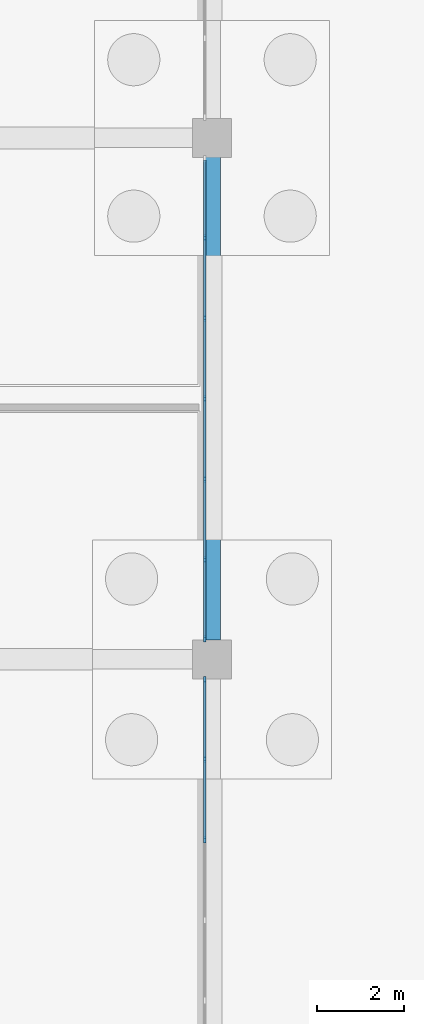
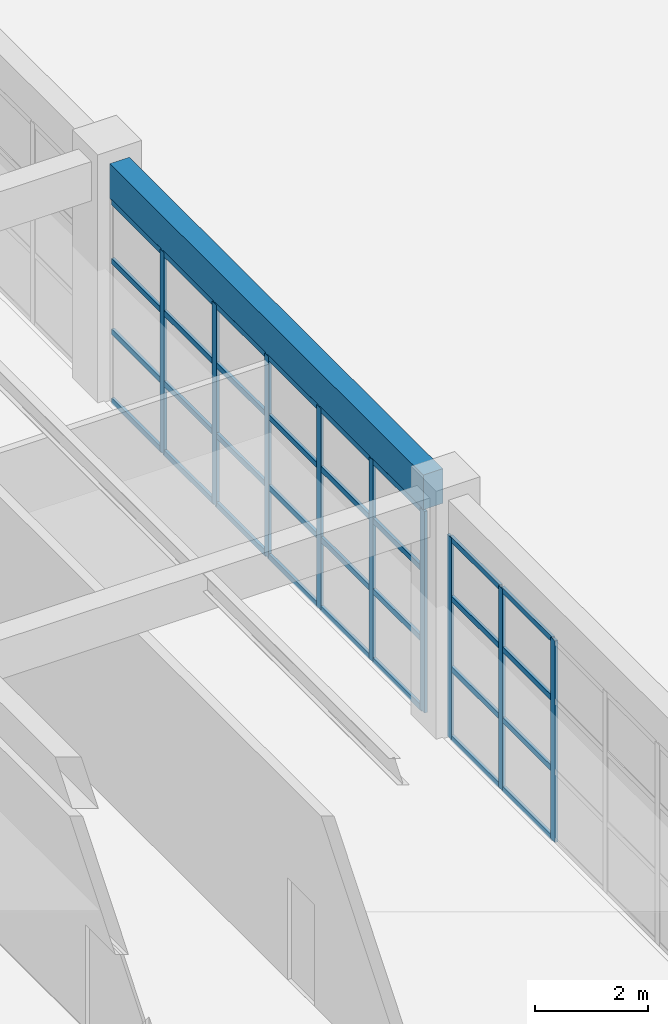
# One storey, part 56 of 99: 41 members, 1 beam, 2 elements without a shape of their own.
"""IFC4 building model written with IfcOpenShell, lengths in metres."""

from ifc_helpers import new_model, si_unit, direction, frame, origin, origin_2d, place, context, subcontext, project, spatial, rectangle, extrude, material, layer, layer_set, material_profile, profile_set, type_object, element, aggregate, save


model = new_model("IFC4")

# Units and contexts
model_context = context("Model", 3, precision=1e-05, world=origin(), true_north=direction((0.0, 1.0)))
body_context = subcontext(model_context, "Body", "Model", "MODEL_VIEW")
ifc_project = project(units=[si_unit("LENGTHUNIT", "METRE"), si_unit("AREAUNIT", "SQUARE_METRE"), si_unit("VOLUMEUNIT", "CUBIC_METRE"), si_unit("PLANEANGLEUNIT", "RADIAN"), si_unit("MASSUNIT", "GRAM", prefix="KILO")], contexts=[model_context])

# Site, building, storey
site_placement = place(None, origin())
site = spatial("IfcSite", under=ifc_project, at=site_placement, CompositionType="ELEMENT")
building_placement = place(site_placement, origin())
building = spatial("IfcBuilding", under=site, at=building_placement, Name="Kivolera Central Railway Station", CompositionType="ELEMENT")
storey_placement = place(building_placement, origin())
storey = spatial("IfcBuildingStorey", under=building, at=storey_placement, Name="L00", CompositionType="ELEMENT", Elevation=0.0)

# Beam
ifc_material_1 = material(Name="Concrete C40/50", Category="concrete")
ifc_material_profile_1 = material_profile(ifc_material_1, rectangle(XDim=0.39990234375, YDim=0.75, at=origin_2d()), Name="RC 400x750")
ifc_profile_set_1 = profile_set([ifc_material_profile_1], Name="Concrete C40/50")
beam_type = type_object("IfcBeamType", Name="BM-RC-400x750", PredefinedType="BEAM", material=ifc_profile_set_1)
beam_placement = place(storey_placement, frame((138.0, 90.44189453125, 4.7451171875), z_axis=(0.0, 1.0, 0.0), x_axis=(-1.0, 0.0, 0.0)))
element("IfcBeam", 1, at=beam_placement, inside=storey, type_object=beam_type, Name="L00 Wing Y-Beam 14:H-J", PredefinedType="BEAM", context=body_context, shape_type="SweptSolid", body=[
    extrude(rectangle(XDim=0.39990234375, YDim=0.75, at=origin_2d()), origin(), (0.0, 0.0, 1.0), 11.1162109375),
])

# Curtain wall, members
ifc_material_2 = material(Name="Anodised aluminium", Category="aluminium")
ifc_layer = layer(ifc_material_2, 0.179931640625, Name="Anodised aluminium")
ifc_layer_set = layer_set([ifc_layer], Name="Anodised aluminium")
curtain_wall_type = type_object("IfcCurtainWallType", Name="CW-SYS-22", PredefinedType="NOTDEFINED", material=ifc_layer_set)
curtain_wall_1_placement = place(storey_placement, origin())
curtain_wall_1 = element("IfcCurtainWall", 2, at=curtain_wall_1_placement, inside=storey, type_object=curtain_wall_type, Name="L00 Curtain Wall CW-L00-CRTW-G", PredefinedType="NOTDEFINED")
ifc_material_profile_2 = material_profile(ifc_material_2, rectangle(XDim=0.06005859375, YDim=0.14990234375, at=origin_2d()), Name="ALU MULL 60x150")
ifc_profile_set_2 = profile_set([ifc_material_profile_2], Name="Anodised aluminium")
member_type_1 = type_object("IfcMemberType", Name="CWM-MUL-2", PredefinedType="MULLION", material=ifc_profile_set_2)
member_1_placement = place(storey_placement, frame((137.830078125, 89.52490234375, -0.0048828125), z_axis=(0.0, 0.0, 1.0), x_axis=(1.0, 0.0, 0.0)))
member_1 = element("IfcMember", 3, at=member_1_placement, type_object=member_type_1, Name="CW-22 mullion 1", PredefinedType="MULLION", context=body_context, shape_type="SweptSolid", body=[
    extrude(rectangle(XDim=0.06005859375, YDim=0.14990234375, at=origin_2d()), origin(), (0.0, 0.0, 1.0), 4.36279296875),
])
member_2_placement = place(storey_placement, frame((137.830078125, 87.703369140625, -0.0048828125), z_axis=(0.0, 0.0, 1.0), x_axis=(1.0, 0.0, 0.0)))
member_2 = element("IfcMember", 4, at=member_2_placement, type_object=member_type_1, Name="CW-22 mullion 2", PredefinedType="MULLION", context=body_context, shape_type="SweptSolid", body=[
    extrude(rectangle(XDim=0.06005859375, YDim=0.14990234375, at=origin_2d()), origin(), (0.0, 0.0, 1.0), 4.36279296875),
])
member_3_placement = place(storey_placement, frame((137.830078125, 85.8515625, -0.0048828125), z_axis=(0.0, 0.0, 1.0), x_axis=(1.0, 0.0, 0.0)))
member_3 = element("IfcMember", 5, at=member_3_placement, type_object=member_type_1, Name="CW-22 mullion 3", PredefinedType="MULLION", context=body_context, shape_type="SweptSolid", body=[
    extrude(rectangle(XDim=0.06005859375, YDim=0.14990234375, at=origin_2d()), origin(), (0.0, 0.0, 1.0), 4.36279296875),
])

curtain_wall_2_placement = place(storey_placement, origin())
curtain_wall_2 = element("IfcCurtainWall", 6, at=curtain_wall_2_placement, inside=storey, type_object=curtain_wall_type, Name="L00 Curtain Wall CW-L00-CRTW-H", PredefinedType="NOTDEFINED")
member_4_placement = place(storey_placement, frame((137.830078125, 99.703369140625, -0.0048828125), z_axis=(0.0, 0.0, 1.0), x_axis=(1.0, 0.0, 0.0)))
member_4 = element("IfcMember", 7, at=member_4_placement, type_object=member_type_1, Name="CW-22 mullion 2", PredefinedType="MULLION", context=body_context, shape_type="SweptSolid", body=[
    extrude(rectangle(XDim=0.06005859375, YDim=0.14990234375, at=origin_2d()), origin(), (0.0, 0.0, 1.0), 4.36279296875),
])
member_5_placement = place(storey_placement, frame((137.830078125, 97.8515625, -0.0048828125), z_axis=(0.0, 0.0, 1.0), x_axis=(1.0, 0.0, 0.0)))
member_5 = element("IfcMember", 8, at=member_5_placement, type_object=member_type_1, Name="CW-22 mullion 3", PredefinedType="MULLION", context=body_context, shape_type="SweptSolid", body=[
    extrude(rectangle(XDim=0.06005859375, YDim=0.14990234375, at=origin_2d()), origin(), (0.0, 0.0, 1.0), 4.36279296875),
])
member_6_placement = place(storey_placement, frame((137.830078125, 96.0, -0.0048828125), z_axis=(0.0, 0.0, 1.0), x_axis=(1.0, 0.0, 0.0)))
member_6 = element("IfcMember", 9, at=member_6_placement, type_object=member_type_1, Name="CW-22 mullion 4", PredefinedType="MULLION", context=body_context, shape_type="SweptSolid", body=[
    extrude(rectangle(XDim=0.06005859375, YDim=0.14990234375, at=origin_2d()), origin(), (0.0, 0.0, 1.0), 4.36279296875),
])
member_7_placement = place(storey_placement, frame((137.830078125, 94.1484375, -0.0048828125), z_axis=(0.0, 0.0, 1.0), x_axis=(1.0, 0.0, 0.0)))
member_7 = element("IfcMember", 10, at=member_7_placement, type_object=member_type_1, Name="CW-22 mullion 5", PredefinedType="MULLION", context=body_context, shape_type="SweptSolid", body=[
    extrude(rectangle(XDim=0.06005859375, YDim=0.14990234375, at=origin_2d()), origin(), (0.0, 0.0, 1.0), 4.36279296875),
])
member_8_placement = place(storey_placement, frame((137.830078125, 92.296630859375, -0.0048828125), z_axis=(0.0, 0.0, 1.0), x_axis=(1.0, 0.0, 0.0)))
member_8 = element("IfcMember", 11, at=member_8_placement, type_object=member_type_1, Name="CW-22 mullion 6", PredefinedType="MULLION", context=body_context, shape_type="SweptSolid", body=[
    extrude(rectangle(XDim=0.06005859375, YDim=0.14990234375, at=origin_2d()), origin(), (0.0, 0.0, 1.0), 4.36279296875),
])
member_9_placement = place(storey_placement, frame((137.830078125, 90.47509765625, -0.0048828125), z_axis=(0.0, 0.0, 1.0), x_axis=(1.0, 0.0, 0.0)))
member_9 = element("IfcMember", 12, at=member_9_placement, type_object=member_type_1, Name="CW-22 mullion 7", PredefinedType="MULLION", context=body_context, shape_type="SweptSolid", body=[
    extrude(rectangle(XDim=0.06005859375, YDim=0.14990234375, at=origin_2d()), origin(), (0.0, 0.0, 1.0), 4.36279296875),
])

# Member
ifc_material_profile_3 = material_profile(ifc_material_2, rectangle(XDim=0.06005859375, YDim=0.1201171875, at=origin_2d()), Name="ALU TRAN 60x120")
ifc_profile_set_3 = profile_set([ifc_material_profile_3], Name="Anodised aluminium")
member_type_2 = type_object("IfcMemberType", Name="CWM-TRN-2", PredefinedType="USERDEFINED", material=ifc_profile_set_3)
member_10_placement = place(storey_placement, frame((137.830078125, 89.4951171875, 0.030029296875), z_axis=(0.0, -1.0, 0.0), x_axis=(1.0, 0.0, 0.0)))
member_10 = element("IfcMember", 13, at=member_10_placement, type_object=member_type_2, Name="CW-22 transom 1.1", ObjectType="TRANSOM", PredefinedType="USERDEFINED", context=body_context, shape_type="SweptSolid", body=[
    extrude(rectangle(XDim=0.06005859375, YDim=0.1201171875, at=origin_2d()), origin(), (0.0, 0.0, 1.0), 1.76171875),
])

member_11_placement = place(storey_placement, frame((137.830078125, 89.4951171875, 1.525390625), z_axis=(0.0, -1.0, 0.0), x_axis=(1.0, 0.0, 0.0)))
member_11 = element("IfcMember", 14, at=member_11_placement, type_object=member_type_2, Name="CW-22 transom 1.2", ObjectType="TRANSOM", PredefinedType="USERDEFINED", context=body_context, shape_type="SweptSolid", body=[
    extrude(rectangle(XDim=0.06005859375, YDim=0.1201171875, at=origin_2d()), origin(), (0.0, 0.0, 1.0), 1.76171875),
])

member_12_placement = place(storey_placement, frame((137.830078125, 89.4951171875, 3.050537109375), z_axis=(0.0, -1.0, 0.0), x_axis=(1.0, 0.0, 0.0)))
member_12 = element("IfcMember", 15, at=member_12_placement, type_object=member_type_2, Name="CW-22 transom 1.3", ObjectType="TRANSOM", PredefinedType="USERDEFINED", context=body_context, shape_type="SweptSolid", body=[
    extrude(rectangle(XDim=0.06005859375, YDim=0.1201171875, at=origin_2d()), origin(), (0.0, 0.0, 1.0), 1.76171875),
])

member_13_placement = place(storey_placement, frame((137.830078125, 89.4951171875, 4.327880859375), z_axis=(0.0, -1.0, 0.0), x_axis=(1.0, 0.0, 0.0)))
member_13 = element("IfcMember", 16, at=member_13_placement, type_object=member_type_2, Name="CW-22 transom 1.4", ObjectType="TRANSOM", PredefinedType="USERDEFINED", context=body_context, shape_type="SweptSolid", body=[
    extrude(rectangle(XDim=0.06005859375, YDim=0.1201171875, at=origin_2d()), origin(), (0.0, 0.0, 1.0), 1.76171875),
])

member_14_placement = place(storey_placement, frame((137.830078125, 87.67333984375, 0.030029296875), z_axis=(0.0, -1.0, 0.0), x_axis=(1.0, 0.0, 0.0)))
member_14 = element("IfcMember", 17, at=member_14_placement, type_object=member_type_2, Name="CW-22 transom 2.1", ObjectType="TRANSOM", PredefinedType="USERDEFINED", context=body_context, shape_type="SweptSolid", body=[
    extrude(rectangle(XDim=0.06005859375, YDim=0.1201171875, at=origin_2d()), origin(), (0.0, 0.0, 1.0), 1.791748046875),
])

member_15_placement = place(storey_placement, frame((137.830078125, 87.67333984375, 1.525390625), z_axis=(0.0, -1.0, 0.0), x_axis=(1.0, 0.0, 0.0)))
member_15 = element("IfcMember", 18, at=member_15_placement, type_object=member_type_2, Name="CW-22 transom 2.2", ObjectType="TRANSOM", PredefinedType="USERDEFINED", context=body_context, shape_type="SweptSolid", body=[
    extrude(rectangle(XDim=0.06005859375, YDim=0.1201171875, at=origin_2d()), origin(), (0.0, 0.0, 1.0), 1.791748046875),
])

member_16_placement = place(storey_placement, frame((137.830078125, 87.67333984375, 3.050537109375), z_axis=(0.0, -1.0, 0.0), x_axis=(1.0, 0.0, 0.0)))
member_16 = element("IfcMember", 19, at=member_16_placement, type_object=member_type_2, Name="CW-22 transom 2.3", ObjectType="TRANSOM", PredefinedType="USERDEFINED", context=body_context, shape_type="SweptSolid", body=[
    extrude(rectangle(XDim=0.06005859375, YDim=0.1201171875, at=origin_2d()), origin(), (0.0, 0.0, 1.0), 1.791748046875),
])

member_17_placement = place(storey_placement, frame((137.830078125, 87.67333984375, 4.327880859375), z_axis=(0.0, -1.0, 0.0), x_axis=(1.0, 0.0, 0.0)))
member_17 = element("IfcMember", 20, at=member_17_placement, type_object=member_type_2, Name="CW-22 transom 2.4", ObjectType="TRANSOM", PredefinedType="USERDEFINED", context=body_context, shape_type="SweptSolid", body=[
    extrude(rectangle(XDim=0.06005859375, YDim=0.1201171875, at=origin_2d()), origin(), (0.0, 0.0, 1.0), 1.791748046875),
])

aggregate(curtain_wall_1, [member_1, member_2, member_3, member_10, member_11, member_12, member_13, member_14, member_15, member_16, member_17])

member_18_placement = place(storey_placement, frame((137.830078125, 101.4951171875, 0.030029296875), z_axis=(0.0, -1.0, 0.0), x_axis=(1.0, 0.0, 0.0)))
member_18 = element("IfcMember", 21, at=member_18_placement, type_object=member_type_2, Name="CW-22 transom 1.1", ObjectType="TRANSOM", PredefinedType="USERDEFINED", context=body_context, shape_type="SweptSolid", body=[
    extrude(rectangle(XDim=0.06005859375, YDim=0.1201171875, at=origin_2d()), origin(), (0.0, 0.0, 1.0), 1.76171875),
])

member_19_placement = place(storey_placement, frame((137.830078125, 101.4951171875, 1.525390625), z_axis=(0.0, -1.0, 0.0), x_axis=(1.0, 0.0, 0.0)))
member_19 = element("IfcMember", 22, at=member_19_placement, type_object=member_type_2, Name="CW-22 transom 1.2", ObjectType="TRANSOM", PredefinedType="USERDEFINED", context=body_context, shape_type="SweptSolid", body=[
    extrude(rectangle(XDim=0.06005859375, YDim=0.1201171875, at=origin_2d()), origin(), (0.0, 0.0, 1.0), 1.76171875),
])

member_20_placement = place(storey_placement, frame((137.830078125, 101.4951171875, 3.050537109375), z_axis=(0.0, -1.0, 0.0), x_axis=(1.0, 0.0, 0.0)))
member_20 = element("IfcMember", 23, at=member_20_placement, type_object=member_type_2, Name="CW-22 transom 1.3", ObjectType="TRANSOM", PredefinedType="USERDEFINED", context=body_context, shape_type="SweptSolid", body=[
    extrude(rectangle(XDim=0.06005859375, YDim=0.1201171875, at=origin_2d()), origin(), (0.0, 0.0, 1.0), 1.76171875),
])

member_21_placement = place(storey_placement, frame((137.830078125, 101.4951171875, 4.327880859375), z_axis=(0.0, -1.0, 0.0), x_axis=(1.0, 0.0, 0.0)))
member_21 = element("IfcMember", 24, at=member_21_placement, type_object=member_type_2, Name="CW-22 transom 1.4", ObjectType="TRANSOM", PredefinedType="USERDEFINED", context=body_context, shape_type="SweptSolid", body=[
    extrude(rectangle(XDim=0.06005859375, YDim=0.1201171875, at=origin_2d()), origin(), (0.0, 0.0, 1.0), 1.76171875),
])

member_22_placement = place(storey_placement, frame((137.830078125, 99.67333984375, 0.030029296875), z_axis=(0.0, -1.0, 0.0), x_axis=(1.0, 0.0, 0.0)))
member_22 = element("IfcMember", 25, at=member_22_placement, type_object=member_type_2, Name="CW-22 transom 2.1", ObjectType="TRANSOM", PredefinedType="USERDEFINED", context=body_context, shape_type="SweptSolid", body=[
    extrude(rectangle(XDim=0.06005859375, YDim=0.1201171875, at=origin_2d()), origin(), (0.0, 0.0, 1.0), 1.791748046875),
])

member_23_placement = place(storey_placement, frame((137.830078125, 99.67333984375, 1.525390625), z_axis=(0.0, -1.0, 0.0), x_axis=(1.0, 0.0, 0.0)))
member_23 = element("IfcMember", 26, at=member_23_placement, type_object=member_type_2, Name="CW-22 transom 2.2", ObjectType="TRANSOM", PredefinedType="USERDEFINED", context=body_context, shape_type="SweptSolid", body=[
    extrude(rectangle(XDim=0.06005859375, YDim=0.1201171875, at=origin_2d()), origin(), (0.0, 0.0, 1.0), 1.791748046875),
])

member_24_placement = place(storey_placement, frame((137.830078125, 99.67333984375, 3.050537109375), z_axis=(0.0, -1.0, 0.0), x_axis=(1.0, 0.0, 0.0)))
member_24 = element("IfcMember", 27, at=member_24_placement, type_object=member_type_2, Name="CW-22 transom 2.3", ObjectType="TRANSOM", PredefinedType="USERDEFINED", context=body_context, shape_type="SweptSolid", body=[
    extrude(rectangle(XDim=0.06005859375, YDim=0.1201171875, at=origin_2d()), origin(), (0.0, 0.0, 1.0), 1.791748046875),
])

member_25_placement = place(storey_placement, frame((137.830078125, 99.67333984375, 4.327880859375), z_axis=(0.0, -1.0, 0.0), x_axis=(1.0, 0.0, 0.0)))
member_25 = element("IfcMember", 28, at=member_25_placement, type_object=member_type_2, Name="CW-22 transom 2.4", ObjectType="TRANSOM", PredefinedType="USERDEFINED", context=body_context, shape_type="SweptSolid", body=[
    extrude(rectangle(XDim=0.06005859375, YDim=0.1201171875, at=origin_2d()), origin(), (0.0, 0.0, 1.0), 1.791748046875),
])

member_26_placement = place(storey_placement, frame((137.830078125, 97.82177734375, 0.030029296875), z_axis=(0.0, -1.0, 0.0), x_axis=(1.0, 0.0, 0.0)))
member_26 = element("IfcMember", 29, at=member_26_placement, type_object=member_type_2, Name="CW-22 transom 3.1", ObjectType="TRANSOM", PredefinedType="USERDEFINED", context=body_context, shape_type="SweptSolid", body=[
    extrude(rectangle(XDim=0.06005859375, YDim=0.1201171875, at=origin_2d()), origin(), (0.0, 0.0, 1.0), 1.791748046875),
])

member_27_placement = place(storey_placement, frame((137.830078125, 97.82177734375, 1.525390625), z_axis=(0.0, -1.0, 0.0), x_axis=(1.0, 0.0, 0.0)))
member_27 = element("IfcMember", 30, at=member_27_placement, type_object=member_type_2, Name="CW-22 transom 3.2", ObjectType="TRANSOM", PredefinedType="USERDEFINED", context=body_context, shape_type="SweptSolid", body=[
    extrude(rectangle(XDim=0.06005859375, YDim=0.1201171875, at=origin_2d()), origin(), (0.0, 0.0, 1.0), 1.791748046875),
])

member_28_placement = place(storey_placement, frame((137.830078125, 97.82177734375, 3.050537109375), z_axis=(0.0, -1.0, 0.0), x_axis=(1.0, 0.0, 0.0)))
member_28 = element("IfcMember", 31, at=member_28_placement, type_object=member_type_2, Name="CW-22 transom 3.3", ObjectType="TRANSOM", PredefinedType="USERDEFINED", context=body_context, shape_type="SweptSolid", body=[
    extrude(rectangle(XDim=0.06005859375, YDim=0.1201171875, at=origin_2d()), origin(), (0.0, 0.0, 1.0), 1.791748046875),
])

member_29_placement = place(storey_placement, frame((137.830078125, 97.82177734375, 4.327880859375), z_axis=(0.0, -1.0, 0.0), x_axis=(1.0, 0.0, 0.0)))
member_29 = element("IfcMember", 32, at=member_29_placement, type_object=member_type_2, Name="CW-22 transom 3.4", ObjectType="TRANSOM", PredefinedType="USERDEFINED", context=body_context, shape_type="SweptSolid", body=[
    extrude(rectangle(XDim=0.06005859375, YDim=0.1201171875, at=origin_2d()), origin(), (0.0, 0.0, 1.0), 1.791748046875),
])

member_30_placement = place(storey_placement, frame((137.830078125, 95.969970703125, 0.030029296875), z_axis=(0.0, -1.0, 0.0), x_axis=(1.0, 0.0, 0.0)))
member_30 = element("IfcMember", 33, at=member_30_placement, type_object=member_type_2, Name="CW-22 transom 4.1", ObjectType="TRANSOM", PredefinedType="USERDEFINED", context=body_context, shape_type="SweptSolid", body=[
    extrude(rectangle(XDim=0.06005859375, YDim=0.1201171875, at=origin_2d()), origin(), (0.0, 0.0, 1.0), 1.791748046875),
])

member_31_placement = place(storey_placement, frame((137.830078125, 95.969970703125, 1.525390625), z_axis=(0.0, -1.0, 0.0), x_axis=(1.0, 0.0, 0.0)))
member_31 = element("IfcMember", 34, at=member_31_placement, type_object=member_type_2, Name="CW-22 transom 4.2", ObjectType="TRANSOM", PredefinedType="USERDEFINED", context=body_context, shape_type="SweptSolid", body=[
    extrude(rectangle(XDim=0.06005859375, YDim=0.1201171875, at=origin_2d()), origin(), (0.0, 0.0, 1.0), 1.791748046875),
])

member_32_placement = place(storey_placement, frame((137.830078125, 95.969970703125, 3.050537109375), z_axis=(0.0, -1.0, 0.0), x_axis=(1.0, 0.0, 0.0)))
member_32 = element("IfcMember", 35, at=member_32_placement, type_object=member_type_2, Name="CW-22 transom 4.3", ObjectType="TRANSOM", PredefinedType="USERDEFINED", context=body_context, shape_type="SweptSolid", body=[
    extrude(rectangle(XDim=0.06005859375, YDim=0.1201171875, at=origin_2d()), origin(), (0.0, 0.0, 1.0), 1.791748046875),
])

member_33_placement = place(storey_placement, frame((137.830078125, 95.969970703125, 4.327880859375), z_axis=(0.0, -1.0, 0.0), x_axis=(1.0, 0.0, 0.0)))
member_33 = element("IfcMember", 36, at=member_33_placement, type_object=member_type_2, Name="CW-22 transom 4.4", ObjectType="TRANSOM", PredefinedType="USERDEFINED", context=body_context, shape_type="SweptSolid", body=[
    extrude(rectangle(XDim=0.06005859375, YDim=0.1201171875, at=origin_2d()), origin(), (0.0, 0.0, 1.0), 1.791748046875),
])

member_34_placement = place(storey_placement, frame((137.830078125, 94.118408203125, 0.030029296875), z_axis=(0.0, -1.0, 0.0), x_axis=(1.0, 0.0, 0.0)))
member_34 = element("IfcMember", 37, at=member_34_placement, type_object=member_type_2, Name="CW-22 transom 5.1", ObjectType="TRANSOM", PredefinedType="USERDEFINED", context=body_context, shape_type="SweptSolid", body=[
    extrude(rectangle(XDim=0.06005859375, YDim=0.1201171875, at=origin_2d()), origin(), (0.0, 0.0, 1.0), 1.791748046875),
])

member_35_placement = place(storey_placement, frame((137.830078125, 94.118408203125, 1.525390625), z_axis=(0.0, -1.0, 0.0), x_axis=(1.0, 0.0, 0.0)))
member_35 = element("IfcMember", 38, at=member_35_placement, type_object=member_type_2, Name="CW-22 transom 5.2", ObjectType="TRANSOM", PredefinedType="USERDEFINED", context=body_context, shape_type="SweptSolid", body=[
    extrude(rectangle(XDim=0.06005859375, YDim=0.1201171875, at=origin_2d()), origin(), (0.0, 0.0, 1.0), 1.791748046875),
])

member_36_placement = place(storey_placement, frame((137.830078125, 94.118408203125, 3.050537109375), z_axis=(0.0, -1.0, 0.0), x_axis=(1.0, 0.0, 0.0)))
member_36 = element("IfcMember", 39, at=member_36_placement, type_object=member_type_2, Name="CW-22 transom 5.3", ObjectType="TRANSOM", PredefinedType="USERDEFINED", context=body_context, shape_type="SweptSolid", body=[
    extrude(rectangle(XDim=0.06005859375, YDim=0.1201171875, at=origin_2d()), origin(), (0.0, 0.0, 1.0), 1.791748046875),
])

member_37_placement = place(storey_placement, frame((137.830078125, 94.118408203125, 4.327880859375), z_axis=(0.0, -1.0, 0.0), x_axis=(1.0, 0.0, 0.0)))
member_37 = element("IfcMember", 40, at=member_37_placement, type_object=member_type_2, Name="CW-22 transom 5.4", ObjectType="TRANSOM", PredefinedType="USERDEFINED", context=body_context, shape_type="SweptSolid", body=[
    extrude(rectangle(XDim=0.06005859375, YDim=0.1201171875, at=origin_2d()), origin(), (0.0, 0.0, 1.0), 1.791748046875),
])

member_38_placement = place(storey_placement, frame((137.830078125, 92.2666015625, 0.030029296875), z_axis=(0.0, -1.0, 0.0), x_axis=(1.0, 0.0, 0.0)))
member_38 = element("IfcMember", 41, at=member_38_placement, type_object=member_type_2, Name="CW-22 transom 6.1", ObjectType="TRANSOM", PredefinedType="USERDEFINED", context=body_context, shape_type="SweptSolid", body=[
    extrude(rectangle(XDim=0.06005859375, YDim=0.1201171875, at=origin_2d()), origin(), (0.0, 0.0, 1.0), 1.76171875),
])

member_39_placement = place(storey_placement, frame((137.830078125, 92.2666015625, 1.525390625), z_axis=(0.0, -1.0, 0.0), x_axis=(1.0, 0.0, 0.0)))
member_39 = element("IfcMember", 42, at=member_39_placement, type_object=member_type_2, Name="CW-22 transom 6.2", ObjectType="TRANSOM", PredefinedType="USERDEFINED", context=body_context, shape_type="SweptSolid", body=[
    extrude(rectangle(XDim=0.06005859375, YDim=0.1201171875, at=origin_2d()), origin(), (0.0, 0.0, 1.0), 1.76171875),
])

member_40_placement = place(storey_placement, frame((137.830078125, 92.2666015625, 3.050537109375), z_axis=(0.0, -1.0, 0.0), x_axis=(1.0, 0.0, 0.0)))
member_40 = element("IfcMember", 43, at=member_40_placement, type_object=member_type_2, Name="CW-22 transom 6.3", ObjectType="TRANSOM", PredefinedType="USERDEFINED", context=body_context, shape_type="SweptSolid", body=[
    extrude(rectangle(XDim=0.06005859375, YDim=0.1201171875, at=origin_2d()), origin(), (0.0, 0.0, 1.0), 1.76171875),
])

member_41_placement = place(storey_placement, frame((137.830078125, 92.2666015625, 4.327880859375), z_axis=(0.0, -1.0, 0.0), x_axis=(1.0, 0.0, 0.0)))
member_41 = element("IfcMember", 44, at=member_41_placement, type_object=member_type_2, Name="CW-22 transom 6.4", ObjectType="TRANSOM", PredefinedType="USERDEFINED", context=body_context, shape_type="SweptSolid", body=[
    extrude(rectangle(XDim=0.06005859375, YDim=0.1201171875, at=origin_2d()), origin(), (0.0, 0.0, 1.0), 1.76171875),
])

aggregate(curtain_wall_2, [member_4, member_5, member_6, member_7, member_8, member_9, member_18, member_19, member_20, member_21, member_22, member_23, member_24, member_25, member_26, member_27, member_28, member_29, member_30, member_31, member_32, member_33, member_34, member_35, member_36, member_37, member_38, member_39, member_40, member_41])

save(model, "model.ifc")
